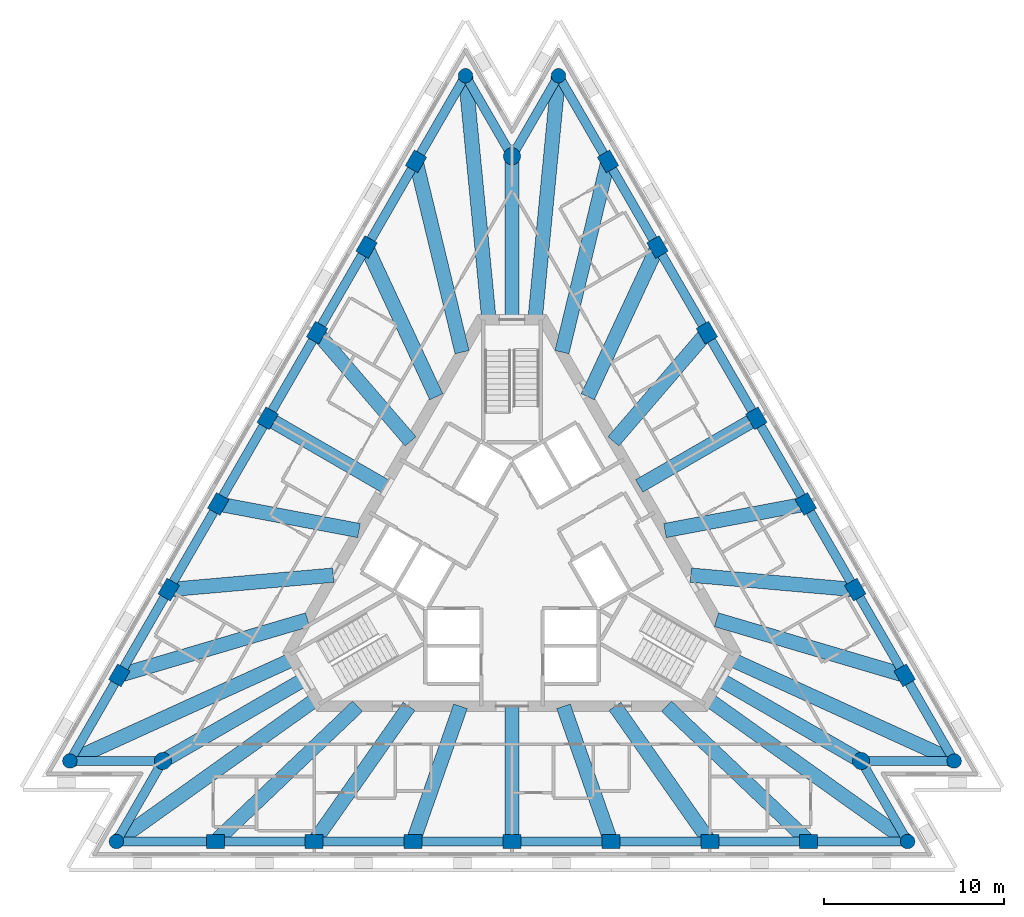
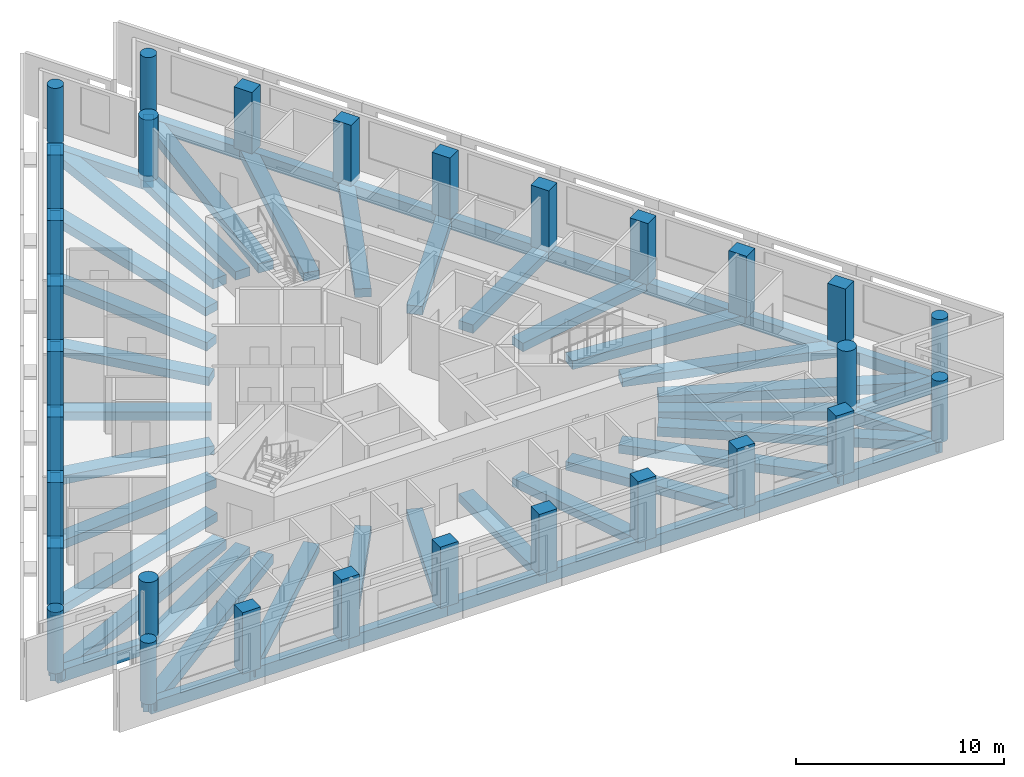
# One storey, part 1 of 9: 60 beams, 30 columns.
"""IFC4 building model written with IfcOpenShell, lengths in metres."""

from ifc_helpers import new_model, si_unit, direction, frame, origin, origin_2d, place, context, subcontext, project, spatial, rectangle, circle, extrude, material, material_profile, profile_set, type_object, element, save


model = new_model("IFC4")

# Units and contexts
model_context = context("Model", 3, precision=1e-05, world=origin(), true_north=direction((0.0, 1.0)))
body_context = subcontext(model_context, "Body", "Model", "MODEL_VIEW")
ifc_project = project(units=[si_unit("LENGTHUNIT", "METRE"), si_unit("AREAUNIT", "SQUARE_METRE"), si_unit("VOLUMEUNIT", "CUBIC_METRE"), si_unit("PLANEANGLEUNIT", "RADIAN"), si_unit("MASSUNIT", "GRAM", prefix="KILO")], contexts=[model_context])

# Site, building, storey
site_placement = place(None, origin())
site = spatial("IfcSite", under=ifc_project, at=site_placement, CompositionType="ELEMENT")
building_placement = place(site_placement, origin())
building = spatial("IfcBuilding", under=site, at=building_placement, Name="Triada Interchange Tower", CompositionType="ELEMENT")
storey_placement = place(building_placement, frame((0.0, 0.0, 282.699951171875)))
storey = spatial("IfcBuildingStorey", under=building, at=storey_placement, Name="L66", CompositionType="ELEMENT", Elevation=282.699951171875)

# Columns
ifc_material_1 = material(Name="Concrete C40/50", Category="concrete")
ifc_material_profile_1 = material_profile(ifc_material_1, rectangle(XDim=1.0, YDim=0.800048828125, at=origin_2d()), Name="RC 1000x800")
ifc_profile_set_1 = profile_set([ifc_material_profile_1], Name="Concrete C40/50")
column_type_1 = type_object("IfcColumnType", Name="Column D face RC 1000x800", PredefinedType="COLUMN", material=ifc_profile_set_1)
for number, where, z_axis, x_axis, name in (
    (1, (-5.324951171875, 22.0849609375, -0.300048828125), (0.0, 0.0, 1.0), (0.5, 0.866025403784, 0.0), "Column CD02 L66"),
    (2, (-8.069091796875, 17.3330078125, -0.300048828125), (0.0, 0.0, 1.0), (0.5, 0.866025403784, 0.0), "Column CD03 L66"),
    (3, (-10.81298828125, 12.580078125, -0.300048828125), (0.0, 0.0, 1.0), (0.5, 0.866025403784, 0.0), "Column CD04 L66"),
    (4, (-13.556884765625, 7.826904296875, -0.300048828125), (0.0, 0.0, 1.0), (0.5, 0.866025403784, 0.0), "Column CD05 L66"),
    (5, (-16.301025390625, 3.073974609375, -0.300048828125), (0.0, 0.0, 1.0), (0.5, 0.866025403784, 0.0), "Column CD06 L66"),
    (6, (-19.044921875, -1.677978515625, -0.300048828125), (0.0, 0.0, 1.0), (0.5, 0.866025403784, 0.0), "Column CD07 L66"),
    (7, (-21.7890625, -6.430908203125, -0.300048828125), (0.0, 0.0, 1.0), (0.5, 0.866025403784, 0.0), "Column CD08 L66"),
    (8, (-16.464111328125, -15.654052734375, -0.300048828125), (0.0, 0.0, 1.0), (1.0, 0.0, 0.0), "Column CD11 L66"),
    (9, (-10.97607421875, -15.654052734375, -0.300048828125), (0.0, 0.0, 1.0), (1.0, 0.0, 0.0), "Column CD12 L66"),
    (10, (-5.488037109375, -15.654052734375, -0.300048828125), (0.0, 0.0, 1.0), (1.0, 0.0, 0.0), "Column CD13 L66"),
    (11, (0.0, -15.654052734375, -0.300048828125), (0.0, 0.0, 1.0), (1.0, 0.0, 0.0), "Column CD14 L66"),
    (12, (5.488037109375, -15.654052734375, -0.300048828125), (0.0, 0.0, 1.0), (1.0, 0.0, 0.0), "Column CD15 L66"),
    (13, (10.97607421875, -15.654052734375, -0.300048828125), (0.0, 0.0, 1.0), (1.0, 0.0, 0.0), "Column CD16 L66"),
    (14, (16.464111328125, -15.654052734375, -0.300048828125), (0.0, 0.0, 1.0), (1.0, 0.0, 0.0), "Column CD17 L66"),
    (15, (21.7890625, -6.430908203125, -0.300048828125), (0.0, 0.0, 1.0), (-0.5, 0.866025403784, 0.0), "Column CD20 L66"),
    (16, (19.044921875, -1.677978515625, -0.300048828125), (0.0, 0.0, 1.0), (-0.5, 0.866025403784, 0.0), "Column CD21 L66"),
    (17, (16.301025390625, 3.073974609375, -0.300048828125), (0.0, 0.0, 1.0), (-0.5, 0.866025403784, 0.0), "Column CD22 L66"),
    (18, (13.556884765625, 7.826904296875, -0.300048828125), (0.0, 0.0, 1.0), (-0.5, 0.866025403784, 0.0), "Column CD23 L66"),
    (19, (10.81298828125, 12.580078125, -0.300048828125), (0.0, 0.0, 1.0), (-0.5, 0.866025403784, 0.0), "Column CD24 L66"),
    (20, (8.069091796875, 17.3330078125, -0.300048828125), (0.0, 0.0, 1.0), (-0.5, 0.866025403784, 0.0), "Column CD25 L66"),
    (21, (5.324951171875, 22.0849609375, -0.300048828125), (0.0, 0.0, 1.0), (-0.5, 0.866025403784, 0.0), "Column CD26 L66"),
):
    element("IfcColumn", number, at=place(storey_placement, frame(where, z_axis=z_axis, x_axis=x_axis)), inside=storey, type_object=column_type_1, Name=name, PredefinedType="COLUMN", context=body_context, shape_type="SweptSolid", body=[
        extrude(rectangle(XDim=1.0, YDim=0.800048828125, at=origin_2d()), origin(), (0.0, 0.0, 1.0), 3.60009765625),
    ])
ifc_material_profile_2 = material_profile(ifc_material_1, circle(Radius=0.39990234375, at=origin_2d()), Name="RC D800")
ifc_profile_set_2 = profile_set([ifc_material_profile_2], Name="Concrete C40/50")
column_type_2 = type_object("IfcColumnType", Name="End column D RC D800", PredefinedType="COLUMN", material=ifc_profile_set_2)
for number, where, z_axis, x_axis, name in (
    (22, (-2.5810546875, 26.837890625, -0.300048828125), (0.0, 0.0, 1.0), (0.5, 0.866025403784, 0.0), "Column CD01 L66"),
    (23, (-24.532958984375, -11.18408203125, -0.300048828125), (0.0, 0.0, 1.0), (0.5, 0.866025403784, 0.0), "Column CD09 L66"),
    (24, (-21.951904296875, -15.654052734375, -0.300048828125), (0.0, 0.0, 1.0), (1.0, 0.0, 0.0), "Column CD10 L66"),
    (25, (21.951904296875, -15.654052734375, -0.300048828125), (0.0, 0.0, 1.0), (1.0, 0.0, 0.0), "Column CD18 L66"),
    (26, (24.532958984375, -11.18408203125, -0.300048828125), (0.0, 0.0, 1.0), (-0.5, 0.866025403784, 0.0), "Column CD19 L66"),
    (27, (2.5810546875, 26.837890625, -0.300048828125), (0.0, 0.0, 1.0), (-0.5, 0.866025403784, 0.0), "Column CD27 L66"),
):
    element("IfcColumn", number, at=place(storey_placement, frame(where, z_axis=z_axis, x_axis=x_axis)), inside=storey, type_object=column_type_2, Name=name, PredefinedType="COLUMN", context=body_context, shape_type="SweptSolid", body=[
        extrude(circle(Radius=0.39990234375, at=origin_2d()), origin(), (0.0, 0.0, 1.0), 3.60009765625),
    ])
ifc_material_profile_3 = material_profile(ifc_material_1, circle(Radius=0.47509765625, at=origin_2d()), Name="RC D950")
ifc_profile_set_3 = profile_set([ifc_material_profile_3], Name="Concrete C40/50")
column_type_3 = type_object("IfcColumnType", Name="Mega column D RC D950", PredefinedType="COLUMN", material=ifc_profile_set_3)
for number, where, z_axis, x_axis, name in (
    (28, (0.0, 22.368896484375, -0.300048828125), (0.0, 0.0, 1.0), (1.0, 0.0, 0.0), "Column MD1 L66"),
    (29, (-19.3720703125, -11.18408203125, -0.300048828125), (0.0, 0.0, 1.0), (1.0, 0.0, 0.0), "Column MD2 L66"),
    (30, (19.3720703125, -11.18408203125, -0.300048828125), (0.0, 0.0, 1.0), (1.0, 0.0, 0.0), "Column MD3 L66"),
):
    element("IfcColumn", number, at=place(storey_placement, frame(where, z_axis=z_axis, x_axis=x_axis)), inside=storey, type_object=column_type_3, Name=name, PredefinedType="COLUMN", context=body_context, shape_type="SweptSolid", body=[
        extrude(circle(Radius=0.47509765625, at=origin_2d()), origin(), (0.0, 0.0, 1.0), 3.60009765625),
    ])

# Beams
ifc_material_2 = material(Name="Concrete C50/60", Category="concrete")
ifc_material_profile_4 = material_profile(ifc_material_2, rectangle(XDim=0.800048828125, YDim=0.5, at=origin_2d()), Name="RC 800x500")
ifc_profile_set_4 = profile_set([ifc_material_profile_4], Name="Concrete C50/60")
beam_type_1 = type_object("IfcBeamType", Name="Radial band beam D RC 800x500", PredefinedType="BEAM", material=ifc_profile_set_4)
beam_1_placement = place(storey_placement, frame((-5.324951171875, 22.0849609375, -0.550048828125), z_axis=(0.234425037452, -0.972134199489, 0.0), x_axis=(0.972134199489, 0.234425037452, 0.0)))
element("IfcBeam", 31, at=beam_1_placement, inside=storey, type_object=beam_type_1, Name="Radial band beam BD02 L66", PredefinedType="BEAM", context=body_context, shape_type="SweptSolid", body=[
    extrude(rectangle(XDim=0.800048828125, YDim=0.5, at=origin_2d()), origin(), (0.0, 0.0, 1.0), 10.890380859375),
])
beam_2_placement = place(storey_placement, frame((-8.069091796875, 17.3330078125, -0.550048828125), z_axis=(0.42204241395, -0.906576086618, 0.0), x_axis=(0.906576086618, 0.42204241395, 0.0)))
element("IfcBeam", 32, at=beam_2_placement, inside=storey, type_object=beam_type_1, Name="Radial band beam BD03 L66", PredefinedType="BEAM", context=body_context, shape_type="SweptSolid", body=[
    extrude(rectangle(XDim=0.800048828125, YDim=0.5, at=origin_2d()), origin(), (0.0, 0.0, 1.0), 9.165283203125),
])
beam_3_placement = place(storey_placement, frame((-10.81298828125, 12.580078125, -0.550048828125), z_axis=(0.651852544973, -0.758345738837, 0.0), x_axis=(0.758345738837, 0.651852544973, 0.0)))
element("IfcBeam", 33, at=beam_3_placement, inside=storey, type_object=beam_type_1, Name="Radial band beam BD04 L66", PredefinedType="BEAM", context=body_context, shape_type="SweptSolid", body=[
    extrude(rectangle(XDim=0.800048828125, YDim=0.5, at=origin_2d()), origin(), (0.0, 0.0, 1.0), 7.952880859375),
])
beam_4_placement = place(storey_placement, frame((-13.556884765625, 7.826904296875, -0.550048828125), z_axis=(0.86603226186, -0.499988121277, 0.0), x_axis=(0.499988121277, 0.86603226186, 0.0)))
element("IfcBeam", 34, at=beam_4_placement, inside=storey, type_object=beam_type_1, Name="Radial band beam BD05 L66", PredefinedType="BEAM", context=body_context, shape_type="SweptSolid", body=[
    extrude(rectangle(XDim=0.800048828125, YDim=0.5, at=origin_2d()), origin(), (0.0, 0.0, 1.0), 7.504150390625),
])
beam_5_placement = place(storey_placement, frame((-16.301025390625, 3.073974609375, -0.550048828125), z_axis=(0.982672101043, -0.185352479972, 0.0), x_axis=(0.185352479972, 0.982672101043, 0.0)))
element("IfcBeam", 35, at=beam_5_placement, inside=storey, type_object=beam_type_1, Name="Radial band beam BD06 L66", PredefinedType="BEAM", context=body_context, shape_type="SweptSolid", body=[
    extrude(rectangle(XDim=0.800048828125, YDim=0.5, at=origin_2d()), origin(), (0.0, 0.0, 1.0), 7.95166015625),
])
beam_6_placement = place(storey_placement, frame((-19.044921875, -1.677978515625, -0.550048828125), z_axis=(0.996145337016, 0.087718114098, 0.0), x_axis=(-0.087718114098, 0.996145337016, 0.0)))
element("IfcBeam", 36, at=beam_6_placement, inside=storey, type_object=beam_type_1, Name="Radial band beam BD07 L66", PredefinedType="BEAM", context=body_context, shape_type="SweptSolid", body=[
    extrude(rectangle(XDim=0.800048828125, YDim=0.5, at=origin_2d()), origin(), (0.0, 0.0, 1.0), 9.165283203125),
])
beam_7_placement = place(storey_placement, frame((-21.7890625, -6.430908203125, -0.550048828125), z_axis=(0.959093403857, 0.283089813802, 0.0), x_axis=(-0.283089813802, 0.959093403857, 0.0)))
element("IfcBeam", 37, at=beam_7_placement, inside=storey, type_object=beam_type_1, Name="Radial band beam BD08 L66", PredefinedType="BEAM", context=body_context, shape_type="SweptSolid", body=[
    extrude(rectangle(XDim=0.800048828125, YDim=0.5, at=origin_2d()), origin(), (0.0, 0.0, 1.0), 10.890625),
])
beam_8_placement = place(storey_placement, frame((-19.3720703125, -11.18408203125, -0.550048828125), z_axis=(0.866041235469, 0.499972577716, 0.0), x_axis=(-0.499972577716, 0.866041235469, 0.0)))
element("IfcBeam", 38, at=beam_8_placement, inside=storey, type_object=beam_type_1, Name="Radial band beam BD10 L66", PredefinedType="BEAM", context=body_context, shape_type="SweptSolid", body=[
    extrude(rectangle(XDim=0.800048828125, YDim=0.5, at=origin_2d()), origin(), (0.0, 0.0, 1.0), 9.06884765625),
])
beam_9_placement = place(storey_placement, frame((-16.464111328125, -15.654052734375, -0.550048828125), z_axis=(0.724693754634, 0.689071086314, 0.0), x_axis=(-0.689071086314, 0.724693754634, 0.0)))
element("IfcBeam", 39, at=beam_9_placement, inside=storey, type_object=beam_type_1, Name="Radial band beam BD12 L66", PredefinedType="BEAM", context=body_context, shape_type="SweptSolid", body=[
    extrude(rectangle(XDim=0.800048828125, YDim=0.5, at=origin_2d()), origin(), (0.0, 0.0, 1.0), 10.89013671875),
])
beam_10_placement = place(storey_placement, frame((-10.97607421875, -15.654052734375, -0.550048828125), z_axis=(0.574125420819, 0.818767366942, 0.0), x_axis=(-0.818767366942, 0.574125420819, 0.0)))
element("IfcBeam", 40, at=beam_10_placement, inside=storey, type_object=beam_type_1, Name="Radial band beam BD13 L66", PredefinedType="BEAM", context=body_context, shape_type="SweptSolid", body=[
    extrude(rectangle(XDim=0.800048828125, YDim=0.5, at=origin_2d()), origin(), (0.0, 0.0, 1.0), 9.165283203125),
])
beam_11_placement = place(storey_placement, frame((-5.488037109375, -15.654052734375, -0.550048828125), z_axis=(0.330871413108, 0.943675849001, 0.0), x_axis=(-0.943675849001, 0.330871413108, 0.0)))
element("IfcBeam", 41, at=beam_11_placement, inside=storey, type_object=beam_type_1, Name="Radial band beam BD14 L66", PredefinedType="BEAM", context=body_context, shape_type="SweptSolid", body=[
    extrude(rectangle(XDim=0.800048828125, YDim=0.5, at=origin_2d()), origin(), (0.0, 0.0, 1.0), 7.9521484375),
])
beam_12_placement = place(storey_placement, frame((0.0, -15.654052734375, -0.550048828125), z_axis=(0.0, 1.0, 0.0), x_axis=(-1.0, 0.0, 0.0)))
element("IfcBeam", 42, at=beam_12_placement, inside=storey, type_object=beam_type_1, Name="Radial band beam BD15 L66", PredefinedType="BEAM", context=body_context, shape_type="SweptSolid", body=[
    extrude(rectangle(XDim=0.800048828125, YDim=0.5, at=origin_2d()), origin(), (0.0, 0.0, 1.0), 7.504150390625),
])
beam_13_placement = place(storey_placement, frame((5.488037109375, -15.654052734375, -0.550048828125), z_axis=(-0.330871413108, 0.943675849001, 0.0), x_axis=(-0.943675849001, -0.330871413108, 0.0)))
element("IfcBeam", 43, at=beam_13_placement, inside=storey, type_object=beam_type_1, Name="Radial band beam BD16 L66", PredefinedType="BEAM", context=body_context, shape_type="SweptSolid", body=[
    extrude(rectangle(XDim=0.800048828125, YDim=0.5, at=origin_2d()), origin(), (0.0, 0.0, 1.0), 7.9521484375),
])
beam_14_placement = place(storey_placement, frame((10.97607421875, -15.654052734375, -0.550048828125), z_axis=(-0.574125420819, 0.818767366942, 0.0), x_axis=(-0.818767366942, -0.574125420819, 0.0)))
element("IfcBeam", 44, at=beam_14_placement, inside=storey, type_object=beam_type_1, Name="Radial band beam BD17 L66", PredefinedType="BEAM", context=body_context, shape_type="SweptSolid", body=[
    extrude(rectangle(XDim=0.800048828125, YDim=0.5, at=origin_2d()), origin(), (0.0, 0.0, 1.0), 9.165283203125),
])
beam_15_placement = place(storey_placement, frame((16.464111328125, -15.654052734375, -0.550048828125), z_axis=(-0.724693754634, 0.689071086314, 0.0), x_axis=(-0.689071086314, -0.724693754634, 0.0)))
element("IfcBeam", 45, at=beam_15_placement, inside=storey, type_object=beam_type_1, Name="Radial band beam BD18 L66", PredefinedType="BEAM", context=body_context, shape_type="SweptSolid", body=[
    extrude(rectangle(XDim=0.800048828125, YDim=0.5, at=origin_2d()), origin(), (0.0, 0.0, 1.0), 10.89013671875),
])
beam_16_placement = place(storey_placement, frame((19.3720703125, -11.18408203125, -0.550048828125), z_axis=(-0.866041235469, 0.499972577716, 0.0), x_axis=(-0.499972577716, -0.866041235469, 0.0)))
element("IfcBeam", 46, at=beam_16_placement, inside=storey, type_object=beam_type_1, Name="Radial band beam BD20 L66", PredefinedType="BEAM", context=body_context, shape_type="SweptSolid", body=[
    extrude(rectangle(XDim=0.800048828125, YDim=0.5, at=origin_2d()), origin(), (0.0, 0.0, 1.0), 9.06884765625),
])
beam_17_placement = place(storey_placement, frame((21.7890625, -6.430908203125, -0.550048828125), z_axis=(-0.959093403857, 0.283089813802, 0.0), x_axis=(-0.283089813802, -0.959093403857, 0.0)))
element("IfcBeam", 47, at=beam_17_placement, inside=storey, type_object=beam_type_1, Name="Radial band beam BD22 L66", PredefinedType="BEAM", context=body_context, shape_type="SweptSolid", body=[
    extrude(rectangle(XDim=0.800048828125, YDim=0.5, at=origin_2d()), origin(), (0.0, 0.0, 1.0), 10.890625),
])
beam_18_placement = place(storey_placement, frame((19.044921875, -1.677978515625, -0.550048828125), z_axis=(-0.996145337016, 0.087718114098, 0.0), x_axis=(-0.087718114098, -0.996145337016, 0.0)))
element("IfcBeam", 48, at=beam_18_placement, inside=storey, type_object=beam_type_1, Name="Radial band beam BD23 L66", PredefinedType="BEAM", context=body_context, shape_type="SweptSolid", body=[
    extrude(rectangle(XDim=0.800048828125, YDim=0.5, at=origin_2d()), origin(), (0.0, 0.0, 1.0), 9.165283203125),
])
beam_19_placement = place(storey_placement, frame((16.301025390625, 3.073974609375, -0.550048828125), z_axis=(-0.982672101043, -0.185352479972, 0.0), x_axis=(0.185352479972, -0.982672101043, 0.0)))
element("IfcBeam", 49, at=beam_19_placement, inside=storey, type_object=beam_type_1, Name="Radial band beam BD24 L66", PredefinedType="BEAM", context=body_context, shape_type="SweptSolid", body=[
    extrude(rectangle(XDim=0.800048828125, YDim=0.5, at=origin_2d()), origin(), (0.0, 0.0, 1.0), 7.95166015625),
])
beam_20_placement = place(storey_placement, frame((13.556884765625, 7.826904296875, -0.550048828125), z_axis=(-0.86603226186, -0.499988121277, 0.0), x_axis=(0.499988121277, -0.86603226186, 0.0)))
element("IfcBeam", 50, at=beam_20_placement, inside=storey, type_object=beam_type_1, Name="Radial band beam BD25 L66", PredefinedType="BEAM", context=body_context, shape_type="SweptSolid", body=[
    extrude(rectangle(XDim=0.800048828125, YDim=0.5, at=origin_2d()), origin(), (0.0, 0.0, 1.0), 7.504150390625),
])
beam_21_placement = place(storey_placement, frame((10.81298828125, 12.580078125, -0.550048828125), z_axis=(-0.651852544973, -0.758345738837, 0.0), x_axis=(0.758345738837, -0.651852544973, 0.0)))
element("IfcBeam", 51, at=beam_21_placement, inside=storey, type_object=beam_type_1, Name="Radial band beam BD26 L66", PredefinedType="BEAM", context=body_context, shape_type="SweptSolid", body=[
    extrude(rectangle(XDim=0.800048828125, YDim=0.5, at=origin_2d()), origin(), (0.0, 0.0, 1.0), 7.952880859375),
])
beam_22_placement = place(storey_placement, frame((8.069091796875, 17.3330078125, -0.550048828125), z_axis=(-0.42204241395, -0.906576086618, 0.0), x_axis=(0.906576086618, -0.42204241395, 0.0)))
element("IfcBeam", 52, at=beam_22_placement, inside=storey, type_object=beam_type_1, Name="Radial band beam BD27 L66", PredefinedType="BEAM", context=body_context, shape_type="SweptSolid", body=[
    extrude(rectangle(XDim=0.800048828125, YDim=0.5, at=origin_2d()), origin(), (0.0, 0.0, 1.0), 9.165283203125),
])
beam_23_placement = place(storey_placement, frame((5.324951171875, 22.0849609375, -0.550048828125), z_axis=(-0.234425037452, -0.972134199489, 0.0), x_axis=(0.972134199489, -0.234425037452, 0.0)))
element("IfcBeam", 53, at=beam_23_placement, inside=storey, type_object=beam_type_1, Name="Radial band beam BD28 L66", PredefinedType="BEAM", context=body_context, shape_type="SweptSolid", body=[
    extrude(rectangle(XDim=0.800048828125, YDim=0.5, at=origin_2d()), origin(), (0.0, 0.0, 1.0), 10.890380859375),
])
beam_24_placement = place(storey_placement, frame((0.0, 22.368896484375, -0.550048828125), z_axis=(0.0, -1.0, 0.0), x_axis=(1.0, 0.0, 0.0)))
element("IfcBeam", 54, at=beam_24_placement, inside=storey, type_object=beam_type_1, Name="Radial band beam BD30 L66", PredefinedType="BEAM", context=body_context, shape_type="SweptSolid", body=[
    extrude(rectangle(XDim=0.800048828125, YDim=0.5, at=origin_2d()), origin(), (0.0, 0.0, 1.0), 9.06884765625),
])
ifc_material_profile_5 = material_profile(ifc_material_2, rectangle(XDim=0.800048828125, YDim=0.550048828125, at=origin_2d()), Name="RC 800x550")
ifc_profile_set_5 = profile_set([ifc_material_profile_5], Name="Concrete C50/60")
beam_type_2 = type_object("IfcBeamType", Name="Radial band beam D RC 800x550", PredefinedType="BEAM", material=ifc_profile_set_5)
beam_25_placement = place(storey_placement, frame((-2.5810546875, 26.837890625, -0.574951171875), z_axis=(0.095733271747, -0.99540702262, 0.0), x_axis=(0.99540702262, 0.095733271747, 0.0)))
element("IfcBeam", 55, at=beam_25_placement, inside=storey, type_object=beam_type_2, Name="Radial band beam BD01 L66", PredefinedType="BEAM", context=body_context, shape_type="SweptSolid", body=[
    extrude(rectangle(XDim=0.800048828125, YDim=0.550048828125, at=origin_2d()), origin(), (0.0, 0.0, 1.0), 13.600341796875),
])
beam_26_placement = place(storey_placement, frame((-24.532958984375, -11.18408203125, -0.574951171875), z_axis=(0.909892520451, 0.414844068569, 0.0), x_axis=(-0.414844068569, 0.909892520451, 0.0)))
element("IfcBeam", 56, at=beam_26_placement, inside=storey, type_object=beam_type_2, Name="Radial band beam BD09 L66", PredefinedType="BEAM", context=body_context, shape_type="SweptSolid", body=[
    extrude(rectangle(XDim=0.800048828125, YDim=0.550048828125, at=origin_2d()), origin(), (0.0, 0.0, 1.0), 13.6005859375),
])
for number, where, z_axis, x_axis, name in (
    (57, (-21.951904296875, -15.654052734375, -0.574951171875), (0.814195346708, 0.580591024214, 0.0), (-0.580591024214, 0.814195346708, 0.0), "Radial band beam BD11 L66"),
    (58, (21.951904296875, -15.654052734375, -0.574951171875), (-0.814195346708, 0.580591024214, 0.0), (-0.580591024214, -0.814195346708, 0.0), "Radial band beam BD19 L66"),
):
    element("IfcBeam", number, at=place(storey_placement, frame(where, z_axis=z_axis, x_axis=x_axis)), inside=storey, type_object=beam_type_2, Name=name, PredefinedType="BEAM", context=body_context, shape_type="SweptSolid", body=[
        extrude(rectangle(XDim=0.800048828125, YDim=0.550048828125, at=origin_2d()), origin(), (0.0, 0.0, 1.0), 13.599853515625),
    ])
beam_27_placement = place(storey_placement, frame((24.532958984375, -11.18408203125, -0.574951171875), z_axis=(-0.909892520451, 0.414844068569, 0.0), x_axis=(-0.414844068569, -0.909892520451, 0.0)))
element("IfcBeam", 59, at=beam_27_placement, inside=storey, type_object=beam_type_2, Name="Radial band beam BD21 L66", PredefinedType="BEAM", context=body_context, shape_type="SweptSolid", body=[
    extrude(rectangle(XDim=0.800048828125, YDim=0.550048828125, at=origin_2d()), origin(), (0.0, 0.0, 1.0), 13.6005859375),
])
beam_28_placement = place(storey_placement, frame((2.5810546875, 26.837890625, -0.574951171875), z_axis=(-0.095733271747, -0.99540702262, 0.0), x_axis=(0.99540702262, -0.095733271747, 0.0)))
element("IfcBeam", 60, at=beam_28_placement, inside=storey, type_object=beam_type_2, Name="Radial band beam BD29 L66", PredefinedType="BEAM", context=body_context, shape_type="SweptSolid", body=[
    extrude(rectangle(XDim=0.800048828125, YDim=0.550048828125, at=origin_2d()), origin(), (0.0, 0.0, 1.0), 13.600341796875),
])
ifc_material_profile_6 = material_profile(ifc_material_2, rectangle(XDim=0.5, YDim=0.699951171875, at=origin_2d()), Name="RC 500x700")
ifc_profile_set_6 = profile_set([ifc_material_profile_6], Name="Concrete C50/60")
beam_type_3 = type_object("IfcBeamType", Name="Spandrel beam D RC 500x700", PredefinedType="BEAM", material=ifc_profile_set_6)
beam_29_placement = place(storey_placement, frame((-2.5810546875, 26.837890625, -0.64990234375), z_axis=(-0.499971472108, -0.866041873744, 0.0), x_axis=(0.866041873744, -0.499971472108, 0.0)))
element("IfcBeam", 61, at=beam_29_placement, inside=storey, type_object=beam_type_3, Name="Spandrel beam ED01 L66", PredefinedType="BEAM", context=body_context, shape_type="SweptSolid", body=[
    extrude(rectangle(XDim=0.5, YDim=0.699951171875, at=origin_2d()), origin(), (0.0, 0.0, 1.0), 5.488037109375),
])
beam_30_placement = place(storey_placement, frame((-5.324951171875, 22.0849609375, -0.64990234375), z_axis=(-0.500081895979, -0.865978115955, 0.0), x_axis=(0.865978115955, -0.500081895979, 0.0)))
element("IfcBeam", 62, at=beam_30_placement, inside=storey, type_object=beam_type_3, Name="Spandrel beam ED02 L66", PredefinedType="BEAM", context=body_context, shape_type="SweptSolid", body=[
    extrude(rectangle(XDim=0.5, YDim=0.699951171875, at=origin_2d()), origin(), (0.0, 0.0, 1.0), 5.4873046875),
])
beam_31_placement = place(storey_placement, frame((-8.069091796875, 17.3330078125, -0.64990234375), z_axis=(-0.499971472108, -0.866041873744, 0.0), x_axis=(0.866041873744, -0.499971472108, 0.0)))
element("IfcBeam", 63, at=beam_31_placement, inside=storey, type_object=beam_type_3, Name="Spandrel beam ED03 L66", PredefinedType="BEAM", context=body_context, shape_type="SweptSolid", body=[
    extrude(rectangle(XDim=0.5, YDim=0.699951171875, at=origin_2d()), origin(), (0.0, 0.0, 1.0), 5.488037109375),
])
for number, where, z_axis, x_axis, name in (
    (64, (-10.81298828125, 12.580078125, -0.64990234375), (-0.499952210714, -0.866052993184, 0.0), (0.866052993184, -0.499952210714, 0.0), "Spandrel beam ED04 L66"),
    (65, (-13.556884765625, 7.826904296875, -0.64990234375), (-0.500004836318, -0.866022611517, 0.0), (0.866022611517, -0.500004836318, 0.0), "Spandrel beam ED05 L66"),
):
    element("IfcBeam", number, at=place(storey_placement, frame(where, z_axis=z_axis, x_axis=x_axis)), inside=storey, type_object=beam_type_3, Name=name, PredefinedType="BEAM", context=body_context, shape_type="SweptSolid", body=[
        extrude(rectangle(XDim=0.5, YDim=0.699951171875, at=origin_2d()), origin(), (0.0, 0.0, 1.0), 5.48828125),
    ])
beam_32_placement = place(storey_placement, frame((-16.301025390625, 3.073974609375, -0.64990234375), z_axis=(-0.500048530056, -0.865997383131, 0.0), x_axis=(0.865997383131, -0.500048530056, 0.0)))
element("IfcBeam", 66, at=beam_32_placement, inside=storey, type_object=beam_type_3, Name="Spandrel beam ED06 L66", PredefinedType="BEAM", context=body_context, shape_type="SweptSolid", body=[
    extrude(rectangle(XDim=0.5, YDim=0.699951171875, at=origin_2d()), origin(), (0.0, 0.0, 1.0), 5.4873046875),
])
for number, where, z_axis, x_axis, name in (
    (67, (-19.044921875, -1.677978515625, -0.64990234375), (-0.500004836318, -0.866022611517, 0.0), (0.866022611517, -0.500004836318, 0.0), "Spandrel beam ED07 L66"),
    (68, (-21.7890625, -6.430908203125, -0.64990234375), (-0.499952210714, -0.866052993184, 0.0), (0.866052993184, -0.499952210714, 0.0), "Spandrel beam ED08 L66"),
):
    element("IfcBeam", number, at=place(storey_placement, frame(where, z_axis=z_axis, x_axis=x_axis)), inside=storey, type_object=beam_type_3, Name=name, PredefinedType="BEAM", context=body_context, shape_type="SweptSolid", body=[
        extrude(rectangle(XDim=0.5, YDim=0.699951171875, at=origin_2d()), origin(), (0.0, 0.0, 1.0), 5.48828125),
    ])
beam_33_placement = place(storey_placement, frame((-24.532958984375, -11.18408203125, -0.64990234375), z_axis=(1.0, 0.0, 0.0), x_axis=(0.0, 1.0, 0.0)))
element("IfcBeam", 69, at=beam_33_placement, inside=storey, type_object=beam_type_3, Name="Spandrel beam ED09 L66", PredefinedType="BEAM", context=body_context, shape_type="SweptSolid", body=[
    extrude(rectangle(XDim=0.5, YDim=0.699951171875, at=origin_2d()), origin(), (0.0, 0.0, 1.0), 5.160888671875),
])
beam_34_placement = place(storey_placement, frame((-19.3720703125, -11.18408203125, -0.64990234375), z_axis=(-0.499868508103, -0.866101307358, 0.0), x_axis=(0.866101307358, -0.499868508103, 0.0)))
element("IfcBeam", 70, at=beam_34_placement, inside=storey, type_object=beam_type_3, Name="Spandrel beam ED10 L66", PredefinedType="BEAM", context=body_context, shape_type="SweptSolid", body=[
    extrude(rectangle(XDim=0.5, YDim=0.699951171875, at=origin_2d()), origin(), (0.0, 0.0, 1.0), 5.1611328125),
])
beam_35_placement = place(storey_placement, frame((-21.951904296875, -15.654052734375, -0.64990234375), z_axis=(1.0, 0.0, 0.0), x_axis=(0.0, 1.0, 0.0)))
element("IfcBeam", 71, at=beam_35_placement, inside=storey, type_object=beam_type_3, Name="Spandrel beam ED11 L66", PredefinedType="BEAM", context=body_context, shape_type="SweptSolid", body=[
    extrude(rectangle(XDim=0.5, YDim=0.699951171875, at=origin_2d()), origin(), (0.0, 0.0, 1.0), 5.48779296875),
])
for number, where, z_axis, x_axis, name in (
    (72, (-16.464111328125, -15.654052734375, -0.64990234375), (1.0, 0.0, 0.0), (0.0, 1.0, 0.0), "Spandrel beam ED12 L66"),
    (73, (-10.97607421875, -15.654052734375, -0.64990234375), (1.0, 0.0, 0.0), (0.0, 1.0, 0.0), "Spandrel beam ED13 L66"),
    (74, (-5.488037109375, -15.654052734375, -0.64990234375), (1.0, 0.0, 0.0), (0.0, 1.0, 0.0), "Spandrel beam ED14 L66"),
    (75, (0.0, -15.654052734375, -0.64990234375), (1.0, 0.0, 0.0), (0.0, 1.0, 0.0), "Spandrel beam ED15 L66"),
    (76, (5.488037109375, -15.654052734375, -0.64990234375), (1.0, 0.0, 0.0), (0.0, 1.0, 0.0), "Spandrel beam ED16 L66"),
    (77, (10.97607421875, -15.654052734375, -0.64990234375), (1.0, 0.0, 0.0), (0.0, 1.0, 0.0), "Spandrel beam ED17 L66"),
):
    element("IfcBeam", number, at=place(storey_placement, frame(where, z_axis=z_axis, x_axis=x_axis)), inside=storey, type_object=beam_type_3, Name=name, PredefinedType="BEAM", context=body_context, shape_type="SweptSolid", body=[
        extrude(rectangle(XDim=0.5, YDim=0.699951171875, at=origin_2d()), origin(), (0.0, 0.0, 1.0), 5.488037109375),
    ])
beam_36_placement = place(storey_placement, frame((16.464111328125, -15.654052734375, -0.64990234375), z_axis=(1.0, 0.0, 0.0), x_axis=(0.0, 1.0, 0.0)))
element("IfcBeam", 78, at=beam_36_placement, inside=storey, type_object=beam_type_3, Name="Spandrel beam ED18 L66", PredefinedType="BEAM", context=body_context, shape_type="SweptSolid", body=[
    extrude(rectangle(XDim=0.5, YDim=0.699951171875, at=origin_2d()), origin(), (0.0, 0.0, 1.0), 5.48779296875),
])
beam_37_placement = place(storey_placement, frame((21.951904296875, -15.654052734375, -0.64990234375), z_axis=(-0.499868508103, 0.866101307358, 0.0), x_axis=(-0.866101307358, -0.499868508103, 0.0)))
element("IfcBeam", 79, at=beam_37_placement, inside=storey, type_object=beam_type_3, Name="Spandrel beam ED19 L66", PredefinedType="BEAM", context=body_context, shape_type="SweptSolid", body=[
    extrude(rectangle(XDim=0.5, YDim=0.699951171875, at=origin_2d()), origin(), (0.0, 0.0, 1.0), 5.1611328125),
])
beam_38_placement = place(storey_placement, frame((19.3720703125, -11.18408203125, -0.64990234375), z_axis=(1.0, 0.0, 0.0), x_axis=(0.0, 1.0, 0.0)))
element("IfcBeam", 80, at=beam_38_placement, inside=storey, type_object=beam_type_3, Name="Spandrel beam ED20 L66", PredefinedType="BEAM", context=body_context, shape_type="SweptSolid", body=[
    extrude(rectangle(XDim=0.5, YDim=0.699951171875, at=origin_2d()), origin(), (0.0, 0.0, 1.0), 5.160888671875),
])
for number, where, z_axis, x_axis, name in (
    (81, (24.532958984375, -11.18408203125, -0.64990234375), (-0.499952210714, 0.866052993184, 0.0), (-0.866052993184, -0.499952210714, 0.0), "Spandrel beam ED21 L66"),
    (82, (21.7890625, -6.430908203125, -0.64990234375), (-0.500004836318, 0.866022611517, 0.0), (-0.866022611517, -0.500004836318, 0.0), "Spandrel beam ED22 L66"),
):
    element("IfcBeam", number, at=place(storey_placement, frame(where, z_axis=z_axis, x_axis=x_axis)), inside=storey, type_object=beam_type_3, Name=name, PredefinedType="BEAM", context=body_context, shape_type="SweptSolid", body=[
        extrude(rectangle(XDim=0.5, YDim=0.699951171875, at=origin_2d()), origin(), (0.0, 0.0, 1.0), 5.48828125),
    ])
beam_39_placement = place(storey_placement, frame((19.044921875, -1.677978515625, -0.64990234375), z_axis=(-0.500048530056, 0.865997383131, 0.0), x_axis=(-0.865997383131, -0.500048530056, 0.0)))
element("IfcBeam", 83, at=beam_39_placement, inside=storey, type_object=beam_type_3, Name="Spandrel beam ED23 L66", PredefinedType="BEAM", context=body_context, shape_type="SweptSolid", body=[
    extrude(rectangle(XDim=0.5, YDim=0.699951171875, at=origin_2d()), origin(), (0.0, 0.0, 1.0), 5.4873046875),
])
for number, where, z_axis, x_axis, name in (
    (84, (16.301025390625, 3.073974609375, -0.64990234375), (-0.500004836318, 0.866022611517, 0.0), (-0.866022611517, -0.500004836318, 0.0), "Spandrel beam ED24 L66"),
    (85, (13.556884765625, 7.826904296875, -0.64990234375), (-0.499952210714, 0.866052993184, 0.0), (-0.866052993184, -0.499952210714, 0.0), "Spandrel beam ED25 L66"),
):
    element("IfcBeam", number, at=place(storey_placement, frame(where, z_axis=z_axis, x_axis=x_axis)), inside=storey, type_object=beam_type_3, Name=name, PredefinedType="BEAM", context=body_context, shape_type="SweptSolid", body=[
        extrude(rectangle(XDim=0.5, YDim=0.699951171875, at=origin_2d()), origin(), (0.0, 0.0, 1.0), 5.48828125),
    ])
beam_40_placement = place(storey_placement, frame((10.81298828125, 12.580078125, -0.64990234375), z_axis=(-0.499971472108, 0.866041873744, 0.0), x_axis=(-0.866041873744, -0.499971472108, 0.0)))
element("IfcBeam", 86, at=beam_40_placement, inside=storey, type_object=beam_type_3, Name="Spandrel beam ED26 L66", PredefinedType="BEAM", context=body_context, shape_type="SweptSolid", body=[
    extrude(rectangle(XDim=0.5, YDim=0.699951171875, at=origin_2d()), origin(), (0.0, 0.0, 1.0), 5.488037109375),
])
beam_41_placement = place(storey_placement, frame((8.069091796875, 17.3330078125, -0.64990234375), z_axis=(-0.500081895979, 0.865978115955, 0.0), x_axis=(-0.865978115955, -0.500081895979, 0.0)))
element("IfcBeam", 87, at=beam_41_placement, inside=storey, type_object=beam_type_3, Name="Spandrel beam ED27 L66", PredefinedType="BEAM", context=body_context, shape_type="SweptSolid", body=[
    extrude(rectangle(XDim=0.5, YDim=0.699951171875, at=origin_2d()), origin(), (0.0, 0.0, 1.0), 5.4873046875),
])
beam_42_placement = place(storey_placement, frame((5.324951171875, 22.0849609375, -0.64990234375), z_axis=(-0.499971472108, 0.866041873744, 0.0), x_axis=(-0.866041873744, -0.499971472108, 0.0)))
element("IfcBeam", 88, at=beam_42_placement, inside=storey, type_object=beam_type_3, Name="Spandrel beam ED28 L66", PredefinedType="BEAM", context=body_context, shape_type="SweptSolid", body=[
    extrude(rectangle(XDim=0.5, YDim=0.699951171875, at=origin_2d()), origin(), (0.0, 0.0, 1.0), 5.488037109375),
])
for number, where, z_axis, x_axis, name in (
    (89, (2.5810546875, 26.837890625, -0.64990234375), (-0.500127840884, -0.865951582234, 0.0), (0.865951582234, -0.500127840884, 0.0), "Spandrel beam ED29 L66"),
    (90, (0.0, 22.368896484375, -0.64990234375), (-0.500127840884, 0.865951582234, 0.0), (-0.865951582234, -0.500127840884, 0.0), "Spandrel beam ED30 L66"),
):
    element("IfcBeam", number, at=place(storey_placement, frame(where, z_axis=z_axis, x_axis=x_axis)), inside=storey, type_object=beam_type_3, Name=name, PredefinedType="BEAM", context=body_context, shape_type="SweptSolid", body=[
        extrude(rectangle(XDim=0.5, YDim=0.699951171875, at=origin_2d()), origin(), (0.0, 0.0, 1.0), 5.160888671875),
    ])

save(model, "model.ifc")
